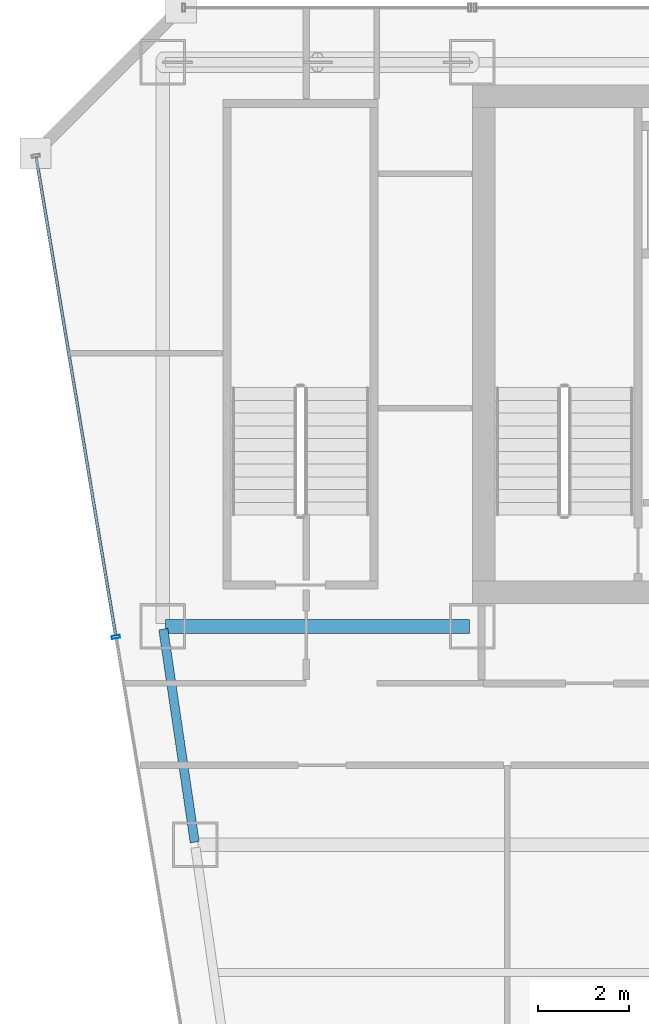
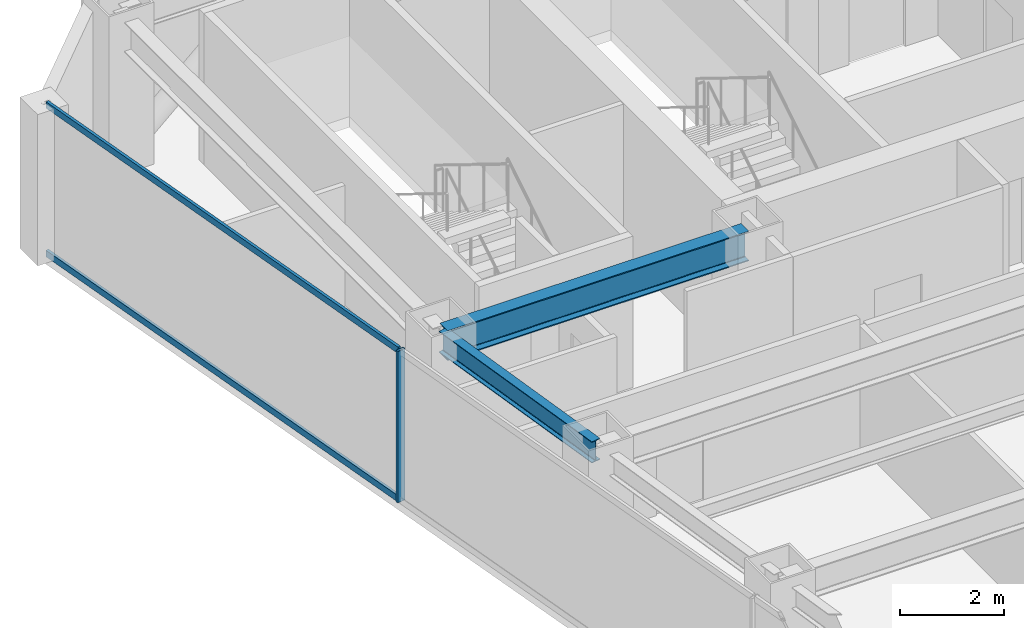
# One storey, part 19 of 36: 3 members, 2 beams, 1 element without a shape of its own.
"""IFC4 building model written with IfcOpenShell, lengths in metres."""

from ifc_helpers import new_model, si_unit, direction, frame, origin, origin_2d, place, context, subcontext, project, spatial, hollow_rectangle, i_section, extrude, material, material_profile, profile_set, type_object, element, aggregate, save


model = new_model("IFC4")

# Units and contexts
model_context = context("Model", 3, precision=1e-05, world=origin(), true_north=direction((0.0, 1.0)))
body_context = subcontext(model_context, "Body", "Model", "MODEL_VIEW")
ifc_project = project(units=[si_unit("LENGTHUNIT", "METRE"), si_unit("AREAUNIT", "SQUARE_METRE"), si_unit("VOLUMEUNIT", "CUBIC_METRE"), si_unit("PLANEANGLEUNIT", "RADIAN"), si_unit("MASSUNIT", "GRAM", prefix="KILO")], contexts=[model_context])

# Site, building, storey
site_placement = place(None, origin())
site = spatial("IfcSite", under=ifc_project, at=site_placement, CompositionType="ELEMENT")
building_placement = place(site_placement, origin())
building = spatial("IfcBuilding", under=site, at=building_placement, Name="Saevonmaru Cultural Tower", CompositionType="ELEMENT")
storey_placement = place(building_placement, frame((0.0, 0.0, 152.39990234375)))
storey = spatial("IfcBuildingStorey", under=building, at=storey_placement, Name="L33", CompositionType="ELEMENT", Elevation=152.39990234375)

# Beams
ifc_material_1 = material(Name="Steel SM355", Category="steel")
ifc_material_profile_1 = material_profile(ifc_material_1, i_section(OverallWidth=0.300048828125, OverallDepth=0.699951171875, WebThickness=0.012939453125, FlangeThickness=0.02392578125, FilletRadius=0.02587890625, at=origin_2d()), Name="H-700x300x13x24")
ifc_profile_set_1 = profile_set([ifc_material_profile_1], Name="Steel SM355")
beam_type_1 = type_object("IfcBeamType", Name="BM-G-H700", PredefinedType="BEAM", material=ifc_profile_set_1)
beam_1_placement = place(storey_placement, frame((6.860107421875, 42.39990234375, 3.2001953125), z_axis=(1.0, 0.0, 0.0), x_axis=(0.0, 1.0, 0.0)))
element("IfcBeam", 1, at=beam_1_placement, inside=storey, type_object=beam_type_1, Name="L33 Core South Girder 1", PredefinedType="BEAM", context=body_context, shape_type="SweptSolid", body=[
    extrude(i_section(OverallWidth=0.300048828125, OverallDepth=0.699951171875, WebThickness=0.012939453125, FlangeThickness=0.02392578125, FilletRadius=0.02587890625, at=origin_2d()), origin(), (0.0, 0.0, 1.0), 6.679931640625),
])
ifc_material_profile_2 = material_profile(ifc_material_1, i_section(OverallWidth=0.199951171875, OverallDepth=0.5, WebThickness=0.010009765625, FlangeThickness=0.01611328125, FilletRadius=0.02001953125, at=origin_2d()), Name="H-500x200x10x16")
ifc_profile_set_2 = profile_set([ifc_material_profile_2], Name="Steel SM355")
beam_type_2 = type_object("IfcBeamType", Name="BM-SP-H500", PredefinedType="SPANDREL", material=ifc_profile_set_2)
beam_2_placement = place(storey_placement, frame((7.499267578125, 37.659423828125, 3.300048828125), z_axis=(-0.145912860028, 0.989297446312, 0.0), x_axis=(-0.989297446312, -0.145912860028, 0.0)))
element("IfcBeam", 2, at=beam_2_placement, inside=storey, type_object=beam_type_2, Name="L33 West Splayed Spandrel 5", PredefinedType="SPANDREL", context=body_context, shape_type="SweptSolid", body=[
    extrude(i_section(OverallWidth=0.199951171875, OverallDepth=0.5, WebThickness=0.010009765625, FlangeThickness=0.01611328125, FilletRadius=0.02001953125, at=origin_2d()), origin(), (0.0, 0.0, 1.0), 4.731689453125),
])

# Curtain wall, members
ifc_material_2 = material(Name="Satin Bronze Anodised Aluminium", Category="aluminium")
curtain_wall_type = type_object("IfcCurtainWallType", Name="CW-TYP-A", PredefinedType="NOTDEFINED", material=ifc_material_2)
curtain_wall_placement = place(storey_placement, origin())
curtain_wall = element("IfcCurtainWall", 3, at=curtain_wall_placement, inside=storey, type_object=curtain_wall_type, Name="L33 Unitised Curtain Wall E12", PredefinedType="NOTDEFINED")
ifc_material_profile_3 = material_profile(ifc_material_2, hollow_rectangle(XDim=0.06494140625, YDim=0.179931640625, WallThickness=0.00390625, at=origin_2d()), Name="ALU-MULL-180x65x4")
ifc_profile_set_3 = profile_set([ifc_material_profile_3], Name="Satin Bronze Anodised Aluminium")
member_type_1 = type_object("IfcMemberType", Name="ML-CW-180x65", PredefinedType="MULLION", material=ifc_profile_set_3)
member_1_placement = place(storey_placement, frame((5.76708984375, 42.17041015625, 0.0), z_axis=(0.0, 0.0, 1.0), x_axis=(0.163998702345, -0.986460554523, 0.0)))
member_1 = element("IfcMember", 4, at=member_1_placement, type_object=member_type_1, Name="CW-TW-L33-E12 mullion 2", PredefinedType="MULLION", context=body_context, shape_type="SweptSolid", body=[
    extrude(hollow_rectangle(XDim=0.06494140625, YDim=0.179931640625, WallThickness=0.00390625, at=origin_2d()), origin(), (0.0, 0.0, 1.0), 3.550048828125),
])
ifc_material_profile_4 = material_profile(ifc_material_2, hollow_rectangle(XDim=0.06494140625, YDim=0.14990234375, WallThickness=0.00390625, at=origin_2d()), Name="ALU-TRAN-150x65x4")
ifc_profile_set_4 = profile_set([ifc_material_profile_4], Name="Satin Bronze Anodised Aluminium")
member_type_2 = type_object("IfcMemberType", Name="TR-CW-150x65", PredefinedType="USERDEFINED", material=ifc_profile_set_4)
member_2_placement = place(storey_placement, frame((4.01513671875, 52.708740234375, 0.03271484375), z_axis=(0.163990079074, -0.9864619881, 0.0), x_axis=(0.9864619881, 0.163990079074, 0.0)))
member_2 = element("IfcMember", 5, at=member_2_placement, type_object=member_type_2, Name="CW-TW-L33-E12 transom 1.1", ObjectType="TRANSOM", PredefinedType="USERDEFINED", context=body_context, shape_type="SweptSolid", body=[
    extrude(hollow_rectangle(XDim=0.06494140625, YDim=0.14990234375, WallThickness=0.00390625, at=origin_2d()), origin(), (0.0, 0.0, 1.0), 10.650634765625),
])
member_3_placement = place(storey_placement, frame((4.01513671875, 52.708740234375, 3.517578125), z_axis=(0.163990079074, -0.9864619881, 0.0), x_axis=(0.9864619881, 0.163990079074, 0.0)))
member_3 = element("IfcMember", 6, at=member_3_placement, type_object=member_type_2, Name="CW-TW-L33-E12 transom 1.2", ObjectType="TRANSOM", PredefinedType="USERDEFINED", context=body_context, shape_type="SweptSolid", body=[
    extrude(hollow_rectangle(XDim=0.06494140625, YDim=0.14990234375, WallThickness=0.00390625, at=origin_2d()), origin(), (0.0, 0.0, 1.0), 10.650634765625),
])
aggregate(curtain_wall, [member_1, member_2, member_3])

save(model, "model.ifc")
